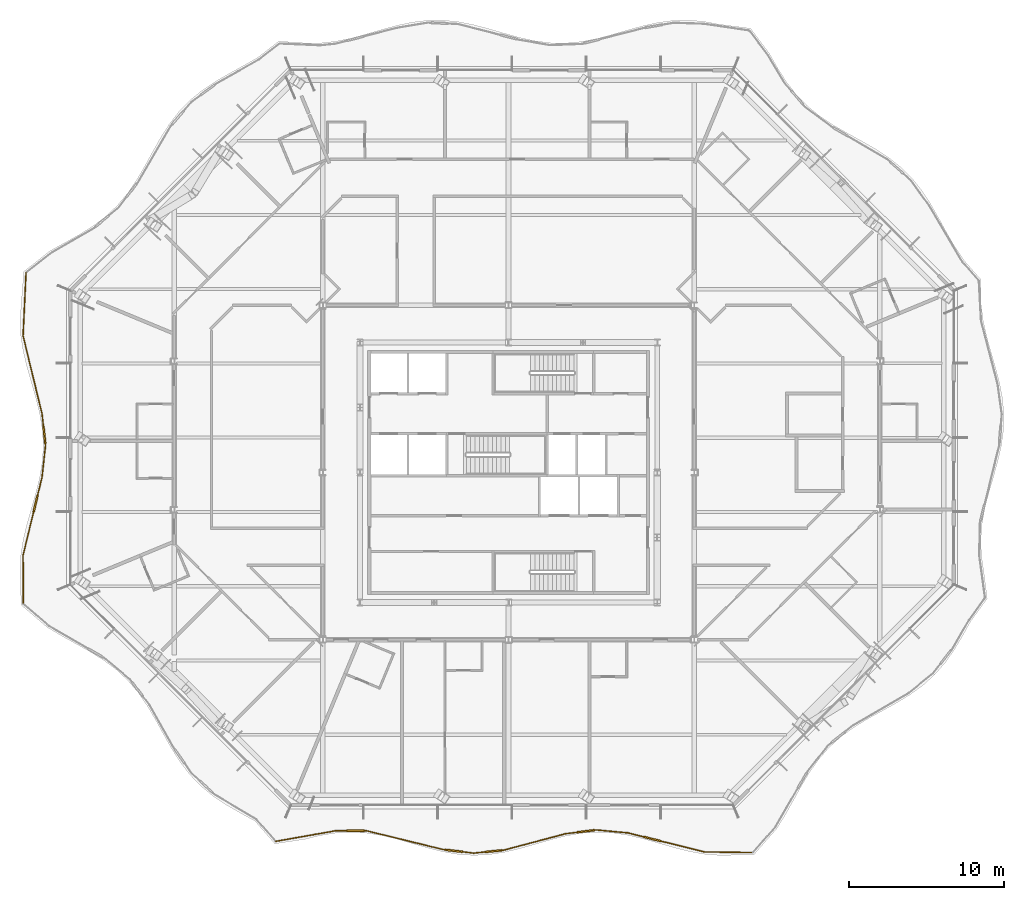
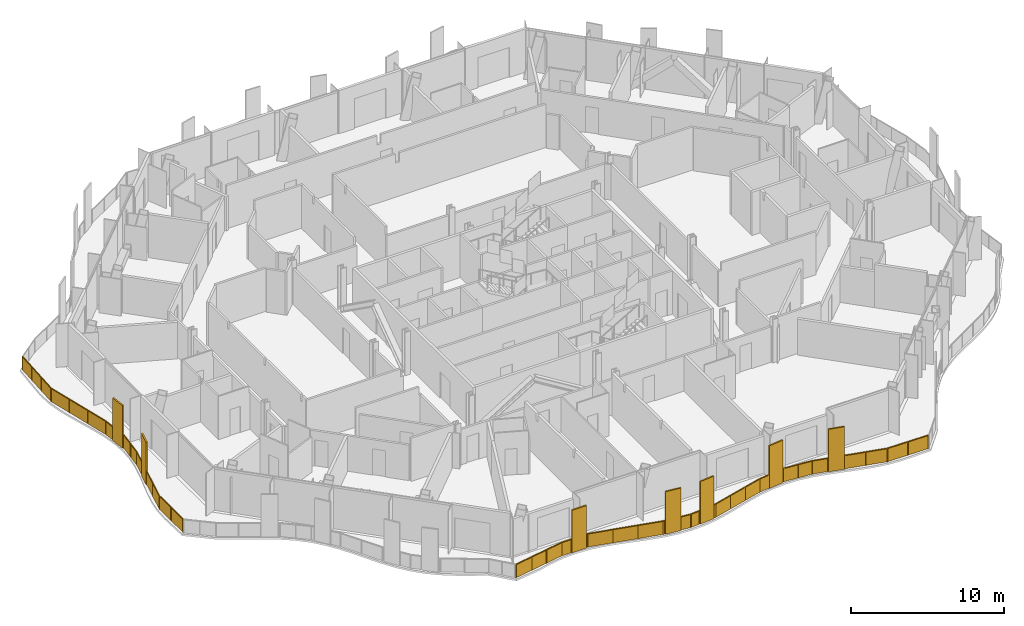
# One storey, part 16 of 22: 2 railings.
"""IFC4 building model written with IfcOpenShell, lengths in metres."""

from ifc_helpers import new_model, si_unit, direction, frame, origin, origin_2d, place, context, subcontext, project, spatial, polyline, rectangle, outline, extrude, material, type_object, element, save


model = new_model("IFC4")

# Units and contexts
model_context = context("Model", 3, precision=1e-05, world=origin(), true_north=direction((0.0, 1.0)))
body_context = subcontext(model_context, "Body", "Model", "MODEL_VIEW")
ifc_project = project(units=[si_unit("LENGTHUNIT", "METRE"), si_unit("AREAUNIT", "SQUARE_METRE"), si_unit("VOLUMEUNIT", "CUBIC_METRE"), si_unit("PLANEANGLEUNIT", "RADIAN"), si_unit("MASSUNIT", "GRAM", prefix="KILO")], contexts=[model_context])

# Site, building, storey
site_placement = place(None, origin())
site = spatial("IfcSite", under=ifc_project, at=site_placement, CompositionType="ELEMENT")
building_placement = place(site_placement, origin())
building = spatial("IfcBuilding", under=site, at=building_placement, Name="Cairn Pilgrim Tower", CompositionType="ELEMENT")
storey_placement = place(building_placement, frame((0.0, 0.0, 175.800048828125)))
storey = spatial("IfcBuildingStorey", under=building, at=storey_placement, Name="L44", CompositionType="ELEMENT", Elevation=175.800048828125)

# Railings
ifc_material = material(Name="Bronze anodised aluminium rail, posts and fin screens with laminated glass infill", Category="aluminium")
railing_type = type_object("IfcRailingType", Name="BALCONY GUARD WITH FIN SCREENS", PredefinedType="GUARDRAIL", material=ifc_material)
railing_1_placement = place(storey_placement, frame((-7.849853515625, -21.4375, 0.0)))
element("IfcRailing", 1, at=railing_1_placement, inside=storey, type_object=railing_type, Name="Balcony guard BGF-1 with fin screens", PredefinedType="GUARDRAIL", context=body_context, shape_type="SweptSolid", body=[
    extrude(rectangle(XDim=0.050048828125, YDim=0.050048828125, at=origin_2d()), frame((0.0, 0.0, 1.0751953125), z_axis=(0.984775365504, 0.173831756293, 0.0), x_axis=(-0.173831756293, 0.984775365504, 0.0)), (0.0, 0.0, 1.0), 3.900146484375),
    extrude(rectangle(XDim=1.10009765625, YDim=0.110107421875, at=origin_2d()), frame((5.158203125, 0.68212890625, 0.0), z_axis=(0.0, 0.0, 1.0), x_axis=(0.999995049626, 0.003146541364, 0.0)), (0.0, 0.0, 1.0), 3.39990234375),
    extrude(rectangle(XDim=0.050048828125, YDim=0.050048828125, at=origin_2d()), frame((3.8408203125, 0.677978515625, 1.0751953125), z_axis=(0.999995049626, 0.003146541364, 0.0), x_axis=(-0.003146541364, 0.999995049626, 0.0)), (0.0, 0.0, 1.0), 0.767333984375),
    extrude(rectangle(XDim=0.050048828125, YDim=0.050048828125, at=origin_2d()), frame((5.708251953125, 0.683837890625, 1.0751953125), z_axis=(0.999995049626, 0.003146541364, 0.0), x_axis=(-0.003146541364, 0.999995049626, 0.0)), (0.0, 0.0, 1.0), 0.14990234375),
    extrude(rectangle(XDim=0.050048828125, YDim=0.050048828125, at=origin_2d()), frame((5.858154296875, 0.684326171875, 1.0751953125), z_axis=(0.971460072807, -0.237203134342, 0.0), x_axis=(0.237203134342, 0.971460072807, 0.0)), (0.0, 0.0, 1.0), 5.12060546875),
    extrude(rectangle(XDim=1.10009765625, YDim=0.110107421875, at=origin_2d()), frame((11.52783203125, -0.612060546875, 0.0), z_axis=(0.0, 0.0, 1.0), x_axis=(0.993135403763, -0.116970379975, 0.0)), (0.0, 0.0, 1.0), 3.39990234375),
    extrude(rectangle(XDim=0.050048828125, YDim=0.050048828125, at=origin_2d()), frame((10.83251953125, -0.5302734375, 1.0751953125), z_axis=(0.993135403763, -0.116970379975, 0.0), x_axis=(0.116970379975, 0.993135403763, 0.0)), (0.0, 0.0, 1.0), 0.150146484375),
    extrude(rectangle(XDim=0.050048828125, YDim=0.050048828125, at=origin_2d()), frame((12.073974609375, -0.676513671875, 1.0751953125), z_axis=(0.993135403763, -0.116970379975, 0.0), x_axis=(0.116970379975, 0.993135403763, 0.0)), (0.0, 0.0, 1.0), 0.724365234375),
    extrude(rectangle(XDim=1.10009765625, YDim=0.110107421875, at=origin_2d()), frame((14.054931640625, -0.634521484375, 0.0), z_axis=(0.0, 0.0, 1.0), x_axis=(0.994987934907, 0.099995046825, 0.0)), (0.0, 0.0, 1.0), 3.39990234375),
    extrude(rectangle(XDim=0.050048828125, YDim=0.050048828125, at=origin_2d()), frame((12.79345703125, -0.76123046875, 1.0751953125), z_axis=(0.994987934907, 0.099995046825, 0.0), x_axis=(-0.099995046825, 0.994987934907, 0.0)), (0.0, 0.0, 1.0), 0.7177734375),
    extrude(rectangle(XDim=0.050048828125, YDim=0.050048828125, at=origin_2d()), frame((14.60205078125, -0.579345703125, 1.0751953125), z_axis=(0.994987934907, 0.099995046825, 0.0), x_axis=(-0.099995046825, 0.994987934907, 0.0)), (0.0, 0.0, 1.0), 0.150146484375),
    extrude(rectangle(XDim=0.050048828125, YDim=0.050048828125, at=origin_2d()), frame((14.75146484375, -0.564453125, 1.0751953125), z_axis=(0.966560656008, 0.256438098295, 0.0), x_axis=(-0.256438098295, 0.966560656008, 0.0)), (0.0, 0.0, 1.0), 4.108154296875),
    extrude(rectangle(XDim=1.10009765625, YDim=0.110107421875, at=origin_2d()), frame((20.0400390625, 0.651611328125, 0.0), z_axis=(0.0, 0.0, 1.0), x_axis=(0.992476615257, 0.122434342275, 0.0)), (0.0, 0.0, 1.0), 3.39990234375),
    extrude(rectangle(XDim=0.050048828125, YDim=0.050048828125, at=origin_2d()), frame((18.72216796875, 0.489013671875, 1.0751953125), z_axis=(0.992476615257, 0.122434342275, 0.0), x_axis=(-0.122434342275, 0.992476615257, 0.0)), (0.0, 0.0, 1.0), 0.77783203125),
    extrude(rectangle(XDim=0.050048828125, YDim=0.050048828125, at=origin_2d()), frame((20.5859375, 0.718994140625, 1.0751953125), z_axis=(0.992476615257, 0.122434342275, 0.0), x_axis=(-0.122434342275, 0.992476615257, 0.0)), (0.0, 0.0, 1.0), 0.150146484375),
    extrude(rectangle(XDim=0.050048828125, YDim=0.050048828125, at=origin_2d()), frame((20.73486328125, 0.7373046875, 1.0751953125), z_axis=(0.995545788241, -0.094279284663, 0.0), x_axis=(0.094279284663, 0.995545788241, 0.0)), (0.0, 0.0, 1.0), 2.0224609375),
    extrude(rectangle(XDim=1.10009765625, YDim=0.110107421875, at=origin_2d()), frame((24.33349609375, 0.153564453125, 0.0), z_axis=(0.0, 0.0, 1.0), x_axis=(0.970621191473, -0.240612764965, 0.0)), (0.0, 0.0, 1.0), 3.39990234375),
    extrude(rectangle(XDim=0.050048828125, YDim=0.050048828125, at=origin_2d()), frame((22.748291015625, 0.546630859375, 1.0751953125), z_axis=(0.970621191473, -0.240612764965, 0.0), x_axis=(0.240612764965, 0.970621191473, 0.0)), (0.0, 0.0, 1.0), 1.0830078125),
    extrude(rectangle(XDim=0.050048828125, YDim=0.050048828125, at=origin_2d()), frame((24.8671875, 0.021240234375, 1.0751953125), z_axis=(0.970621191473, -0.240612764965, 0.0), x_axis=(0.240612764965, 0.970621191473, 0.0)), (0.0, 0.0, 1.0), 2.9267578125),
    extrude(rectangle(XDim=0.050048828125, YDim=0.050048828125, at=origin_2d()), frame((27.7080078125, -0.682861328125, 1.0751953125), z_axis=(0.999909531424, -0.013450983906, 0.0), x_axis=(0.013450983906, 0.999909531424, 0.0)), (0.0, 0.0, 1.0), 3.0673828125),
    extrude(rectangle(XDim=0.050048828125, YDim=0.050048828125, at=origin_2d()), origin(), (0.0, 0.0, 1.0), 1.050048828125),
    extrude(rectangle(XDim=0.050048828125, YDim=0.050048828125, at=origin_2d()), frame((1.2802734375, 0.22607421875, 0.0)), (0.0, 0.0, 1.0), 1.050048828125),
    extrude(rectangle(XDim=0.050048828125, YDim=0.050048828125, at=origin_2d()), frame((2.560546875, 0.451904296875, 0.0)), (0.0, 0.0, 1.0), 1.050048828125),
    extrude(rectangle(XDim=0.050048828125, YDim=0.050048828125, at=origin_2d()), frame((3.8408203125, 0.677978515625, 0.0)), (0.0, 0.0, 1.0), 1.050048828125),
    extrude(rectangle(XDim=0.050048828125, YDim=0.050048828125, at=origin_2d()), frame((4.583251953125, 0.680419921875, 0.0)), (0.0, 0.0, 1.0), 1.050048828125),
    extrude(rectangle(XDim=0.050048828125, YDim=0.050048828125, at=origin_2d()), frame((5.733154296875, 0.683837890625, 0.0)), (0.0, 0.0, 1.0), 1.050048828125),
    extrude(rectangle(XDim=0.050048828125, YDim=0.050048828125, at=origin_2d()), frame((5.858154296875, 0.684326171875, 0.0)), (0.0, 0.0, 1.0), 1.050048828125),
    extrude(rectangle(XDim=0.050048828125, YDim=0.050048828125, at=origin_2d()), frame((7.516357421875, 0.279541015625, 0.0)), (0.0, 0.0, 1.0), 1.050048828125),
    extrude(rectangle(XDim=0.050048828125, YDim=0.050048828125, at=origin_2d()), frame((9.17431640625, -0.12548828125, 0.0)), (0.0, 0.0, 1.0), 1.050048828125),
    extrude(rectangle(XDim=0.050048828125, YDim=0.050048828125, at=origin_2d()), frame((10.83251953125, -0.5302734375, 0.0)), (0.0, 0.0, 1.0), 1.050048828125),
    extrude(rectangle(XDim=0.050048828125, YDim=0.050048828125, at=origin_2d()), frame((10.956787109375, -0.544921875, 0.0)), (0.0, 0.0, 1.0), 1.050048828125),
    extrude(rectangle(XDim=0.050048828125, YDim=0.050048828125, at=origin_2d()), frame((12.098876953125, -0.679443359375, 0.0)), (0.0, 0.0, 1.0), 1.050048828125),
    extrude(rectangle(XDim=0.050048828125, YDim=0.050048828125, at=origin_2d()), frame((12.79345703125, -0.76123046875, 0.0)), (0.0, 0.0, 1.0), 1.050048828125),
    extrude(rectangle(XDim=0.050048828125, YDim=0.050048828125, at=origin_2d()), frame((13.482666015625, -0.69189453125, 0.0)), (0.0, 0.0, 1.0), 1.050048828125),
    extrude(rectangle(XDim=0.050048828125, YDim=0.050048828125, at=origin_2d()), frame((14.626953125, -0.576904296875, 0.0)), (0.0, 0.0, 1.0), 1.050048828125),
    extrude(rectangle(XDim=0.050048828125, YDim=0.050048828125, at=origin_2d()), frame((14.75146484375, -0.564453125, 0.0)), (0.0, 0.0, 1.0), 1.050048828125),
    extrude(rectangle(XDim=0.050048828125, YDim=0.050048828125, at=origin_2d()), frame((16.074951171875, -0.21337890625, 0.0)), (0.0, 0.0, 1.0), 1.050048828125),
    extrude(rectangle(XDim=0.050048828125, YDim=0.050048828125, at=origin_2d()), frame((17.398681640625, 0.137939453125, 0.0)), (0.0, 0.0, 1.0), 1.050048828125),
    extrude(rectangle(XDim=0.050048828125, YDim=0.050048828125, at=origin_2d()), frame((18.72216796875, 0.489013671875, 0.0)), (0.0, 0.0, 1.0), 1.050048828125),
    extrude(rectangle(XDim=0.050048828125, YDim=0.050048828125, at=origin_2d()), frame((19.46923828125, 0.581298828125, 0.0)), (0.0, 0.0, 1.0), 1.050048828125),
    extrude(rectangle(XDim=0.050048828125, YDim=0.050048828125, at=origin_2d()), frame((20.610595703125, 0.721923828125, 0.0)), (0.0, 0.0, 1.0), 1.050048828125),
    extrude(rectangle(XDim=0.050048828125, YDim=0.050048828125, at=origin_2d()), frame((20.73486328125, 0.7373046875, 0.0)), (0.0, 0.0, 1.0), 1.050048828125),
    extrude(rectangle(XDim=0.050048828125, YDim=0.050048828125, at=origin_2d()), frame((21.74169921875, 0.64208984375, 0.0)), (0.0, 0.0, 1.0), 1.050048828125),
    extrude(rectangle(XDim=0.050048828125, YDim=0.050048828125, at=origin_2d()), frame((22.748291015625, 0.546630859375, 0.0)), (0.0, 0.0, 1.0), 1.050048828125),
    extrude(rectangle(XDim=0.050048828125, YDim=0.050048828125, at=origin_2d()), frame((23.775390625, 0.2919921875, 0.0)), (0.0, 0.0, 1.0), 1.050048828125),
    extrude(rectangle(XDim=0.050048828125, YDim=0.050048828125, at=origin_2d()), frame((24.8916015625, 0.015380859375, 0.0)), (0.0, 0.0, 1.0), 1.050048828125),
    extrude(rectangle(XDim=0.050048828125, YDim=0.050048828125, at=origin_2d()), frame((26.2998046875, -0.333740234375, 0.0)), (0.0, 0.0, 1.0), 1.050048828125),
    extrude(rectangle(XDim=0.050048828125, YDim=0.050048828125, at=origin_2d()), frame((27.7080078125, -0.682861328125, 0.0)), (0.0, 0.0, 1.0), 1.050048828125),
    extrude(rectangle(XDim=0.050048828125, YDim=0.050048828125, at=origin_2d()), frame((29.24169921875, -0.70361328125, 0.0)), (0.0, 0.0, 1.0), 1.050048828125),
    extrude(rectangle(XDim=0.050048828125, YDim=0.050048828125, at=origin_2d()), frame((30.775146484375, -0.72412109375, 0.0)), (0.0, 0.0, 1.0), 1.050048828125),
    extrude(outline(polyline([(0.02490234375, 0.0), (1.275146484375, 0.0), (1.275146484375, 1.050048828125), (0.02490234375, 1.050048828125), (0.02490234375, 0.0)])), frame((-0.0009765625, 0.005859375, 0.0), z_axis=(0.173831756293, -0.984775365504, 0.0), x_axis=(0.984775365504, 0.173831756293, 0.0)), (0.0, 0.0, 1.0), 0.011962890625),
    extrude(outline(polyline([(0.02490234375, 0.0), (1.275146484375, 0.0), (1.275146484375, 1.050048828125), (0.02490234375, 1.050048828125), (0.02490234375, 0.0)])), frame((1.279296875, 0.23193359375, 0.0), z_axis=(0.173831756293, -0.984775365504, 0.0), x_axis=(0.984775365504, 0.173831756293, 0.0)), (0.0, 0.0, 1.0), 0.011962890625),
    extrude(outline(polyline([(0.02490234375, 0.0), (1.275146484375, 0.0), (1.275146484375, 1.050048828125), (0.02490234375, 1.050048828125), (0.02490234375, 0.0)])), frame((2.5595703125, 0.457763671875, 0.0), z_axis=(0.173831756293, -0.984775365504, 0.0), x_axis=(0.984775365504, 0.173831756293, 0.0)), (0.0, 0.0, 1.0), 0.011962890625),
    extrude(outline(polyline([(0.02490234375, 0.0), (0.71728515625, 0.0), (0.71728515625, 1.050048828125), (0.02490234375, 1.050048828125), (0.02490234375, 0.0)])), frame((3.8408203125, 0.683837890625, 0.0), z_axis=(0.003146541364, -0.999995049626, 0.0), x_axis=(0.999995049626, 0.003146541364, 0.0)), (0.0, 0.0, 1.0), 0.011962890625),
    extrude(outline(polyline([(0.02490234375, 0.0), (0.099853515625, 0.0), (0.099853515625, 1.050048828125), (0.02490234375, 1.050048828125), (0.02490234375, 0.0)])), frame((5.733154296875, 0.68994140625, 0.0), z_axis=(0.003146541364, -0.999995049626, 0.0), x_axis=(0.999995049626, 0.003146541364, 0.0)), (0.0, 0.0, 1.0), 0.011962890625),
    extrude(outline(polyline([(0.02490234375, 0.0), (1.681884765625, 0.0), (1.681884765625, 1.050048828125), (0.02490234375, 1.050048828125), (0.02490234375, 0.0)])), frame((5.859619140625, 0.690185546875, 0.0), z_axis=(-0.237203134342, -0.971460072807, 0.0), x_axis=(0.971460072807, -0.237203134342, 0.0)), (0.0, 0.0, 1.0), 0.011962890625),
    extrude(outline(polyline([(0.02490234375, 0.0), (1.681884765625, 0.0), (1.681884765625, 1.050048828125), (0.02490234375, 1.050048828125), (0.02490234375, 0.0)])), frame((7.517578125, 0.28515625, 0.0), z_axis=(-0.237203134342, -0.971460072807, 0.0), x_axis=(0.971460072807, -0.237203134342, 0.0)), (0.0, 0.0, 1.0), 0.011962890625),
    extrude(outline(polyline([(0.02490234375, 0.0), (1.681884765625, 0.0), (1.681884765625, 1.050048828125), (0.02490234375, 1.050048828125), (0.02490234375, 0.0)])), frame((9.17578125, -0.11962890625, 0.0), z_axis=(-0.237203134342, -0.971460072807, 0.0), x_axis=(0.971460072807, -0.237203134342, 0.0)), (0.0, 0.0, 1.0), 0.011962890625),
    extrude(outline(polyline([(0.02490234375, 0.0), (0.10009765625, 0.0), (0.10009765625, 1.050048828125), (0.02490234375, 1.050048828125), (0.02490234375, 0.0)])), frame((10.833251953125, -0.5244140625, 0.0), z_axis=(-0.116970379975, -0.993135403763, 0.0), x_axis=(0.993135403763, -0.116970379975, 0.0)), (0.0, 0.0, 1.0), 0.011962890625),
    extrude(outline(polyline([(0.02490234375, 0.0), (0.67431640625, 0.0), (0.67431640625, 1.050048828125), (0.02490234375, 1.050048828125), (0.02490234375, 0.0)])), frame((12.099609375, -0.673583984375, 0.0), z_axis=(-0.116970379975, -0.993135403763, 0.0), x_axis=(0.993135403763, -0.116970379975, 0.0)), (0.0, 0.0, 1.0), 0.011962890625),
    extrude(outline(polyline([(0.02490234375, 0.0), (0.667724609375, 0.0), (0.667724609375, 1.050048828125), (0.02490234375, 1.050048828125), (0.02490234375, 0.0)])), frame((12.79296875, -0.75537109375, 0.0), z_axis=(0.099995046825, -0.994987934907, 0.0), x_axis=(0.994987934907, 0.099995046825, 0.0)), (0.0, 0.0, 1.0), 0.011962890625),
    extrude(outline(polyline([(0.02490234375, 0.0), (0.10009765625, 0.0), (0.10009765625, 1.050048828125), (0.02490234375, 1.050048828125), (0.02490234375, 0.0)])), frame((14.62646484375, -0.571044921875, 0.0), z_axis=(0.099995046825, -0.994987934907, 0.0), x_axis=(0.994987934907, 0.099995046825, 0.0)), (0.0, 0.0, 1.0), 0.011962890625),
    extrude(outline(polyline([(0.02490234375, 0.0), (1.34423828125, 0.0), (1.34423828125, 1.050048828125), (0.02490234375, 1.050048828125), (0.02490234375, 0.0)])), frame((14.75, -0.55859375, 0.0), z_axis=(0.256438098295, -0.966560656008, 0.0), x_axis=(0.966560656008, 0.256438098295, 0.0)), (0.0, 0.0, 1.0), 0.011962890625),
    extrude(outline(polyline([(0.02490234375, 0.0), (1.34423828125, 0.0), (1.34423828125, 1.050048828125), (0.02490234375, 1.050048828125), (0.02490234375, 0.0)])), frame((16.073486328125, -0.20751953125, 0.0), z_axis=(0.256438098295, -0.966560656008, 0.0), x_axis=(0.966560656008, 0.256438098295, 0.0)), (0.0, 0.0, 1.0), 0.011962890625),
    extrude(outline(polyline([(0.02490234375, 0.0), (1.34423828125, 0.0), (1.34423828125, 1.050048828125), (0.02490234375, 1.050048828125), (0.02490234375, 0.0)])), frame((17.39697265625, 0.1435546875, 0.0), z_axis=(0.256438098295, -0.966560656008, 0.0), x_axis=(0.966560656008, 0.256438098295, 0.0)), (0.0, 0.0, 1.0), 0.011962890625),
    extrude(outline(polyline([(0.02490234375, 0.0), (0.727783203125, 0.0), (0.727783203125, 1.050048828125), (0.02490234375, 1.050048828125), (0.02490234375, 0.0)])), frame((18.721435546875, 0.494873046875, 0.0), z_axis=(0.122434342275, -0.992476615257, 0.0), x_axis=(0.992476615257, 0.122434342275, 0.0)), (0.0, 0.0, 1.0), 0.011962890625),
    extrude(outline(polyline([(0.02490234375, 0.0), (0.10009765625, 0.0), (0.10009765625, 1.050048828125), (0.02490234375, 1.050048828125), (0.02490234375, 0.0)])), frame((20.60986328125, 0.72802734375, 0.0), z_axis=(0.122434342275, -0.992476615257, 0.0), x_axis=(0.992476615257, 0.122434342275, 0.0)), (0.0, 0.0, 1.0), 0.011962890625),
    extrude(outline(polyline([(0.02490234375, 0.0), (0.986083984375, 0.0), (0.986083984375, 1.050048828125), (0.02490234375, 1.050048828125), (0.02490234375, 0.0)])), frame((20.7353515625, 0.7431640625, 0.0), z_axis=(-0.094279284663, -0.995545788241, 0.0), x_axis=(0.995545788241, -0.094279284663, 0.0)), (0.0, 0.0, 1.0), 0.011962890625),
    extrude(outline(polyline([(0.02490234375, 0.0), (0.986083984375, 0.0), (0.986083984375, 1.050048828125), (0.02490234375, 1.050048828125), (0.02490234375, 0.0)])), frame((21.7421875, 0.64794921875, 0.0), z_axis=(-0.094279284663, -0.995545788241, 0.0), x_axis=(0.995545788241, -0.094279284663, 0.0)), (0.0, 0.0, 1.0), 0.011962890625),
    extrude(outline(polyline([(0.02490234375, 0.0), (1.032958984375, 0.0), (1.032958984375, 1.050048828125), (0.02490234375, 1.050048828125), (0.02490234375, 0.0)])), frame((22.749755859375, 0.552490234375, 0.0), z_axis=(-0.240612764965, -0.970621191473, 0.0), x_axis=(0.970621191473, -0.240612764965, 0.0)), (0.0, 0.0, 1.0), 0.011962890625),
    extrude(outline(polyline([(0.02490234375, 0.0), (1.42578125, 0.0), (1.42578125, 1.050048828125), (0.02490234375, 1.050048828125), (0.02490234375, 0.0)])), frame((24.89306640625, 0.021240234375, 0.0), z_axis=(-0.240612764965, -0.970621191473, 0.0), x_axis=(0.970621191473, -0.240612764965, 0.0)), (0.0, 0.0, 1.0), 0.011962890625),
    extrude(outline(polyline([(0.02490234375, 0.0), (1.42578125, 0.0), (1.42578125, 1.050048828125), (0.02490234375, 1.050048828125), (0.02490234375, 0.0)])), frame((26.30126953125, -0.327880859375, 0.0), z_axis=(-0.240612764965, -0.970621191473, 0.0), x_axis=(0.970621191473, -0.240612764965, 0.0)), (0.0, 0.0, 1.0), 0.011962890625),
    extrude(outline(polyline([(0.02490234375, 0.0), (1.5087890625, 0.0), (1.5087890625, 1.050048828125), (0.02490234375, 1.050048828125), (0.02490234375, 0.0)])), frame((27.7080078125, -0.677001953125, 0.0), z_axis=(-0.013450983906, -0.999909531424, 0.0), x_axis=(0.999909531424, -0.013450983906, 0.0)), (0.0, 0.0, 1.0), 0.011962890625),
    extrude(outline(polyline([(0.02490234375, 0.0), (1.5087890625, 0.0), (1.5087890625, 1.050048828125), (0.02490234375, 1.050048828125), (0.02490234375, 0.0)])), frame((29.24169921875, -0.697509765625, 0.0), z_axis=(-0.013450983906, -0.999909531424, 0.0), x_axis=(0.999909531424, -0.013450983906, 0.0)), (0.0, 0.0, 1.0), 0.011962890625),
])
railing_2_placement = place(storey_placement, frame((-23.986083984375, 15.31689453125, 0.0)))
element("IfcRailing", 2, at=railing_2_placement, inside=storey, type_object=railing_type, Name="Balcony guard BGF-7 with fin screens", PredefinedType="GUARDRAIL", context=body_context, shape_type="SweptSolid", body=[
    extrude(rectangle(XDim=0.050048828125, YDim=0.050048828125, at=origin_2d()), frame((0.0, 0.0, 1.0751953125), z_axis=(-0.046220277644, -0.998931271877, 0.0), x_axis=(0.998931271877, -0.046220277644, 0.0)), (0.0, 0.0, 1.0), 4.08837890625),
    extrude(rectangle(XDim=0.050048828125, YDim=0.050048828125, at=origin_2d()), frame((-0.18896484375, -4.083984375, 1.0751953125), z_axis=(0.235930028978, -0.971770045549, 0.0), x_axis=(0.971770045549, 0.235930028978, 0.0)), (0.0, 0.0, 1.0), 5.1875),
    extrude(rectangle(XDim=1.10009765625, YDim=0.110107421875, at=origin_2d()), frame((1.184814453125, -10.4765625, 0.0), z_axis=(0.0, 0.0, 1.0), x_axis=(0.110236376937, -0.993905398516, 0.0)), (0.0, 0.0, 1.0), 3.39990234375),
    extrude(rectangle(XDim=0.050048828125, YDim=0.050048828125, at=origin_2d()), frame((1.034912109375, -9.125, 1.0751953125), z_axis=(0.110236376937, -0.993905398516, 0.0), x_axis=(0.993905398516, 0.110236376937, 0.0)), (0.0, 0.0, 1.0), 0.809814453125),
    extrude(rectangle(XDim=0.050048828125, YDim=0.050048828125, at=origin_2d()), frame((1.245361328125, -11.023193359375, 1.0751953125), z_axis=(0.110236376937, -0.993905398516, 0.0), x_axis=(0.993905398516, 0.110236376937, 0.0)), (0.0, 0.0, 1.0), 0.14990234375),
    extrude(rectangle(XDim=0.050048828125, YDim=0.050048828125, at=origin_2d()), frame((1.261962890625, -11.172119140625, 1.0751953125), z_axis=(-0.110119281333, -0.993918378882, 0.0), x_axis=(0.993918378882, -0.110119281333, 0.0)), (0.0, 0.0, 1.0), 2.0595703125),
    extrude(rectangle(XDim=1.10009765625, YDim=0.110107421875, at=origin_2d()), frame((0.621337890625, -14.923095703125, 0.0), z_axis=(0.0, 0.0, 1.0), x_axis=(-0.235967507118, -0.971760945698, 0.0)), (0.0, 0.0, 1.0), 3.39990234375),
    extrude(rectangle(XDim=0.050048828125, YDim=0.050048828125, at=origin_2d()), frame((1.03515625, -13.21923828125, 1.0751953125), z_axis=(-0.235967507118, -0.971760945698, 0.0), x_axis=(0.971760945698, -0.235967507118, 0.0)), (0.0, 0.0, 1.0), 1.203369140625),
    extrude(rectangle(XDim=0.050048828125, YDim=0.050048828125, at=origin_2d()), frame((0.49169921875, -15.457763671875, 1.0751953125), z_axis=(-0.235967507118, -0.971760945698, 0.0), x_axis=(0.971760945698, -0.235967507118, 0.0)), (0.0, 0.0, 1.0), 2.88720703125),
    extrude(rectangle(XDim=0.050048828125, YDim=0.050048828125, at=origin_2d()), frame((-0.189697265625, -18.263427734375, 1.0751953125), z_axis=(0.005849702283, -0.999982890345, 0.0), x_axis=(0.999982890345, 0.005849702283, 0.0)), (0.0, 0.0, 1.0), 3.08837890625),
    extrude(rectangle(XDim=0.050048828125, YDim=0.050048828125, at=origin_2d()), origin(), (0.0, 0.0, 1.0), 1.050048828125),
    extrude(rectangle(XDim=0.050048828125, YDim=0.050048828125, at=origin_2d()), frame((-0.06298828125, -1.361328125, 0.0)), (0.0, 0.0, 1.0), 1.050048828125),
    extrude(rectangle(XDim=0.050048828125, YDim=0.050048828125, at=origin_2d()), frame((-0.1259765625, -2.72265625, 0.0)), (0.0, 0.0, 1.0), 1.050048828125),
    extrude(rectangle(XDim=0.050048828125, YDim=0.050048828125, at=origin_2d()), frame((-0.18896484375, -4.083984375, 0.0)), (0.0, 0.0, 1.0), 1.050048828125),
    extrude(rectangle(XDim=0.050048828125, YDim=0.050048828125, at=origin_2d()), frame((0.218994140625, -5.764404296875, 0.0)), (0.0, 0.0, 1.0), 1.050048828125),
    extrude(rectangle(XDim=0.050048828125, YDim=0.050048828125, at=origin_2d()), frame((0.626953125, -7.444580078125, 0.0)), (0.0, 0.0, 1.0), 1.050048828125),
    extrude(rectangle(XDim=0.050048828125, YDim=0.050048828125, at=origin_2d()), frame((1.034912109375, -9.125, 0.0)), (0.0, 0.0, 1.0), 1.050048828125),
    extrude(rectangle(XDim=0.050048828125, YDim=0.050048828125, at=origin_2d()), frame((1.121337890625, -9.905029296875, 0.0)), (0.0, 0.0, 1.0), 1.050048828125),
    extrude(rectangle(XDim=0.050048828125, YDim=0.050048828125, at=origin_2d()), frame((1.248291015625, -11.048095703125, 0.0)), (0.0, 0.0, 1.0), 1.050048828125),
    extrude(rectangle(XDim=0.050048828125, YDim=0.050048828125, at=origin_2d()), frame((1.261962890625, -11.172119140625, 0.0)), (0.0, 0.0, 1.0), 1.050048828125),
    extrude(rectangle(XDim=0.050048828125, YDim=0.050048828125, at=origin_2d()), frame((1.1484375, -12.19580078125, 0.0)), (0.0, 0.0, 1.0), 1.050048828125),
    extrude(rectangle(XDim=0.050048828125, YDim=0.050048828125, at=origin_2d()), frame((1.03515625, -13.21923828125, 0.0)), (0.0, 0.0, 1.0), 1.050048828125),
    extrude(rectangle(XDim=0.050048828125, YDim=0.050048828125, at=origin_2d()), frame((0.757080078125, -14.364501953125, 0.0)), (0.0, 0.0, 1.0), 1.050048828125),
    extrude(rectangle(XDim=0.050048828125, YDim=0.050048828125, at=origin_2d()), frame((0.485595703125, -15.48193359375, 0.0)), (0.0, 0.0, 1.0), 1.050048828125),
    extrude(rectangle(XDim=0.050048828125, YDim=0.050048828125, at=origin_2d()), frame((0.14794921875, -16.872802734375, 0.0)), (0.0, 0.0, 1.0), 1.050048828125),
    extrude(rectangle(XDim=0.050048828125, YDim=0.050048828125, at=origin_2d()), frame((-0.189697265625, -18.263427734375, 0.0)), (0.0, 0.0, 1.0), 1.050048828125),
    extrude(rectangle(XDim=0.050048828125, YDim=0.050048828125, at=origin_2d()), frame((-0.1806640625, -19.8076171875, 0.0)), (0.0, 0.0, 1.0), 1.050048828125),
    extrude(rectangle(XDim=0.050048828125, YDim=0.050048828125, at=origin_2d()), frame((-0.171630859375, -21.351806640625, 0.0)), (0.0, 0.0, 1.0), 1.050048828125),
    extrude(outline(polyline([(0.02490234375, 0.0), (1.337646484375, 0.0), (1.337646484375, 1.050048828125), (0.02490234375, 1.050048828125), (0.02490234375, 0.0)])), frame((0.005859375, -0.000244140625, 0.0), z_axis=(-0.998931271877, 0.046220277644, 0.0), x_axis=(-0.046220277644, -0.998931271877, 0.0)), (0.0, 0.0, 1.0), 0.011962890625),
    extrude(outline(polyline([(0.02490234375, 0.0), (1.337646484375, 0.0), (1.337646484375, 1.050048828125), (0.02490234375, 1.050048828125), (0.02490234375, 0.0)])), frame((-0.05712890625, -1.361572265625, 0.0), z_axis=(-0.998931271877, 0.046220277644, 0.0), x_axis=(-0.046220277644, -0.998931271877, 0.0)), (0.0, 0.0, 1.0), 0.011962890625),
    extrude(outline(polyline([(0.02490234375, 0.0), (1.337646484375, 0.0), (1.337646484375, 1.050048828125), (0.02490234375, 1.050048828125), (0.02490234375, 0.0)])), frame((-0.1201171875, -2.722900390625, 0.0), z_axis=(-0.998931271877, 0.046220277644, 0.0), x_axis=(-0.046220277644, -0.998931271877, 0.0)), (0.0, 0.0, 1.0), 0.011962890625),
    extrude(outline(polyline([(0.02490234375, 0.0), (1.7041015625, 0.0), (1.7041015625, 1.050048828125), (0.02490234375, 1.050048828125), (0.02490234375, 0.0)])), frame((-0.18310546875, -4.08251953125, 0.0), z_axis=(-0.971770045549, -0.235930028978, 0.0), x_axis=(0.235930028978, -0.971770045549, 0.0)), (0.0, 0.0, 1.0), 0.011962890625),
    extrude(outline(polyline([(0.02490234375, 0.0), (1.7041015625, 0.0), (1.7041015625, 1.050048828125), (0.02490234375, 1.050048828125), (0.02490234375, 0.0)])), frame((0.224853515625, -5.762939453125, 0.0), z_axis=(-0.971770045549, -0.235930028978, 0.0), x_axis=(0.235930028978, -0.971770045549, 0.0)), (0.0, 0.0, 1.0), 0.011962890625),
    extrude(outline(polyline([(0.02490234375, 0.0), (1.7041015625, 0.0), (1.7041015625, 1.050048828125), (0.02490234375, 1.050048828125), (0.02490234375, 0.0)])), frame((0.6328125, -7.443359375, 0.0), z_axis=(-0.971770045549, -0.235930028978, 0.0), x_axis=(0.235930028978, -0.971770045549, 0.0)), (0.0, 0.0, 1.0), 0.011962890625),
    extrude(outline(polyline([(0.02490234375, 0.0), (0.759765625, 0.0), (0.759765625, 1.050048828125), (0.02490234375, 1.050048828125), (0.02490234375, 0.0)])), frame((1.040771484375, -9.124267578125, 0.0), z_axis=(-0.993905398516, -0.110236376937, 0.0), x_axis=(0.110236376937, -0.993905398516, 0.0)), (0.0, 0.0, 1.0), 0.011962890625),
    extrude(outline(polyline([(0.02490234375, 0.0), (0.099853515625, 0.0), (0.099853515625, 1.050048828125), (0.02490234375, 1.050048828125), (0.02490234375, 0.0)])), frame((1.254150390625, -11.04736328125, 0.0), z_axis=(-0.993905398516, -0.110236376937, 0.0), x_axis=(0.110236376937, -0.993905398516, 0.0)), (0.0, 0.0, 1.0), 0.011962890625),
    extrude(outline(polyline([(0.02490234375, 0.0), (1.0048828125, 0.0), (1.0048828125, 1.050048828125), (0.02490234375, 1.050048828125), (0.02490234375, 0.0)])), frame((1.267822265625, -11.1728515625, 0.0), z_axis=(-0.993918378882, 0.110119281333, 0.0), x_axis=(-0.110119281333, -0.993918378882, 0.0)), (0.0, 0.0, 1.0), 0.011962890625),
    extrude(outline(polyline([(0.02490234375, 0.0), (1.0048828125, 0.0), (1.0048828125, 1.050048828125), (0.02490234375, 1.050048828125), (0.02490234375, 0.0)])), frame((1.154541015625, -12.1962890625, 0.0), z_axis=(-0.993918378882, 0.110119281333, 0.0), x_axis=(-0.110119281333, -0.993918378882, 0.0)), (0.0, 0.0, 1.0), 0.011962890625),
    extrude(outline(polyline([(0.02490234375, 0.0), (1.1533203125, 0.0), (1.1533203125, 1.050048828125), (0.02490234375, 1.050048828125), (0.02490234375, 0.0)])), frame((1.041015625, -13.220703125, 0.0), z_axis=(-0.971760945698, 0.235967507118, 0.0), x_axis=(-0.235967507118, -0.971760945698, 0.0)), (0.0, 0.0, 1.0), 0.011962890625),
    extrude(outline(polyline([(0.02490234375, 0.0), (1.406005859375, 0.0), (1.406005859375, 1.050048828125), (0.02490234375, 1.050048828125), (0.02490234375, 0.0)])), frame((0.491455078125, -15.4833984375, 0.0), z_axis=(-0.971760945698, 0.235967507118, 0.0), x_axis=(-0.235967507118, -0.971760945698, 0.0)), (0.0, 0.0, 1.0), 0.011962890625),
    extrude(outline(polyline([(0.02490234375, 0.0), (1.406005859375, 0.0), (1.406005859375, 1.050048828125), (0.02490234375, 1.050048828125), (0.02490234375, 0.0)])), frame((0.15380859375, -16.8740234375, 0.0), z_axis=(-0.971760945698, 0.235967507118, 0.0), x_axis=(-0.235967507118, -0.971760945698, 0.0)), (0.0, 0.0, 1.0), 0.011962890625),
    extrude(outline(polyline([(0.02490234375, 0.0), (1.519287109375, 0.0), (1.519287109375, 1.050048828125), (0.02490234375, 1.050048828125), (0.02490234375, 0.0)])), frame((-0.183837890625, -18.263427734375, 0.0), z_axis=(-0.999982890345, -0.005849702283, 0.0), x_axis=(0.005849702283, -0.999982890345, 0.0)), (0.0, 0.0, 1.0), 0.011962890625),
    extrude(outline(polyline([(0.02490234375, 0.0), (1.519287109375, 0.0), (1.519287109375, 1.050048828125), (0.02490234375, 1.050048828125), (0.02490234375, 0.0)])), frame((-0.1748046875, -19.8076171875, 0.0), z_axis=(-0.999982890345, -0.005849702283, 0.0), x_axis=(0.005849702283, -0.999982890345, 0.0)), (0.0, 0.0, 1.0), 0.011962890625),
])

save(model, "model.ifc")
